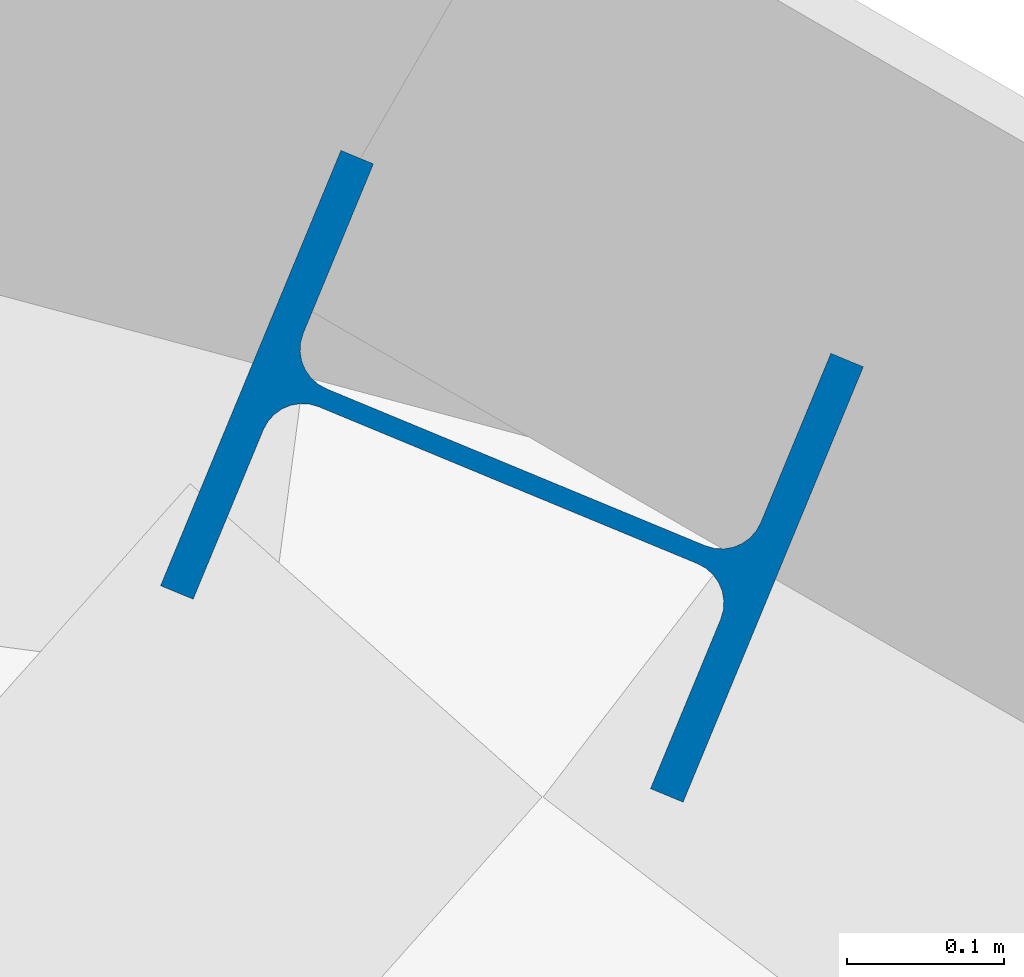
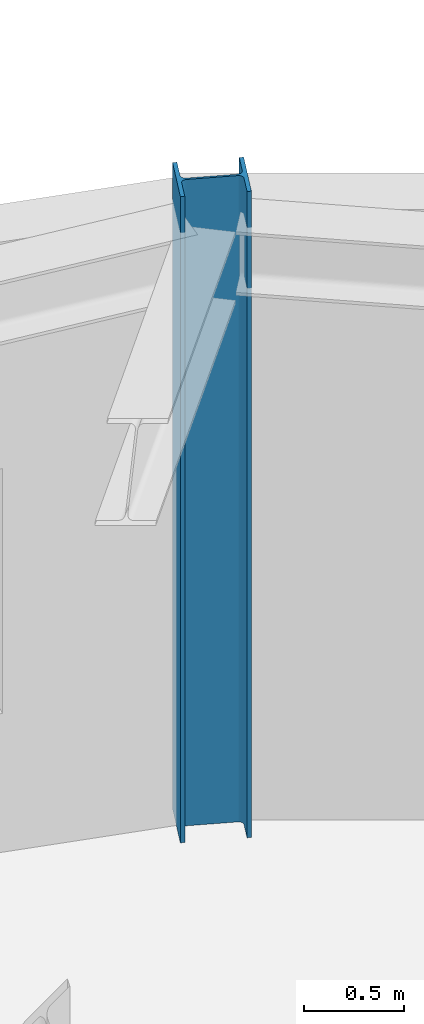
# One storey, part 3 of 11: 1 column.
"""IFC4 building model written with IfcOpenShell, lengths in metres."""

from ifc_helpers import new_model, si_unit, direction, frame, origin, origin_2d, place, context, subcontext, project, spatial, i_section, extrude, material, material_profile, profile_set, type_object, element, save


model = new_model("IFC4")

# Units and contexts
model_context = context("Model", 3, precision=1e-05, world=origin(), true_north=direction((0.0, 1.0)))
body_context = subcontext(model_context, "Body", "Model", "MODEL_VIEW")
ifc_project = project(units=[si_unit("LENGTHUNIT", "METRE"), si_unit("AREAUNIT", "SQUARE_METRE"), si_unit("VOLUMEUNIT", "CUBIC_METRE"), si_unit("PLANEANGLEUNIT", "RADIAN"), si_unit("MASSUNIT", "GRAM", prefix="KILO")], contexts=[model_context])

# Site, building, storey
site_placement = place(None, origin())
site = spatial("IfcSite", under=ifc_project, at=site_placement, CompositionType="ELEMENT")
building_placement = place(site_placement, origin())
building = spatial("IfcBuilding", under=site, at=building_placement, Name="Varnklinge Art Gallery", CompositionType="ELEMENT")
storey_placement = place(building_placement, frame((0.0, 0.0, 17.639892578125)))
storey = spatial("IfcBuildingStorey", under=building, at=storey_placement, Name="L04", CompositionType="ELEMENT", Elevation=17.639892578125)

# Column
ifc_material = material(Name="Steel S355", Category="steel")
ifc_material_profile = material_profile(ifc_material, i_section(OverallWidth=0.300048828125, OverallDepth=0.360107421875, WebThickness=0.012451171875, FlangeThickness=0.0224609375, FilletRadius=0.027099609375, at=origin_2d()), Name="HEB 360")
ifc_profile_set = profile_set([ifc_material_profile], Name="Steel S355")
column_type = type_object("IfcColumnType", Name="COL-E4", PredefinedType="COLUMN", material=ifc_profile_set)
column_placement = place(storey_placement, frame((80.41748046875, 50.371826171875, 0.0), z_axis=(0.0, 0.0, 1.0), x_axis=(0.382683432365, 0.923879532511, 0.0)))
element("IfcColumn", 1, at=column_placement, inside=storey, type_object=column_type, Name="L04 Column V4CP-03", PredefinedType="COLUMN", context=body_context, shape_type="SweptSolid", body=[
    extrude(i_section(OverallWidth=0.300048828125, OverallDepth=0.360107421875, WebThickness=0.012451171875, FlangeThickness=0.0224609375, FilletRadius=0.027099609375, at=origin_2d()), origin(), (0.0, 0.0, 1.0), 3.960205078125),
])

save(model, "model.ifc")
